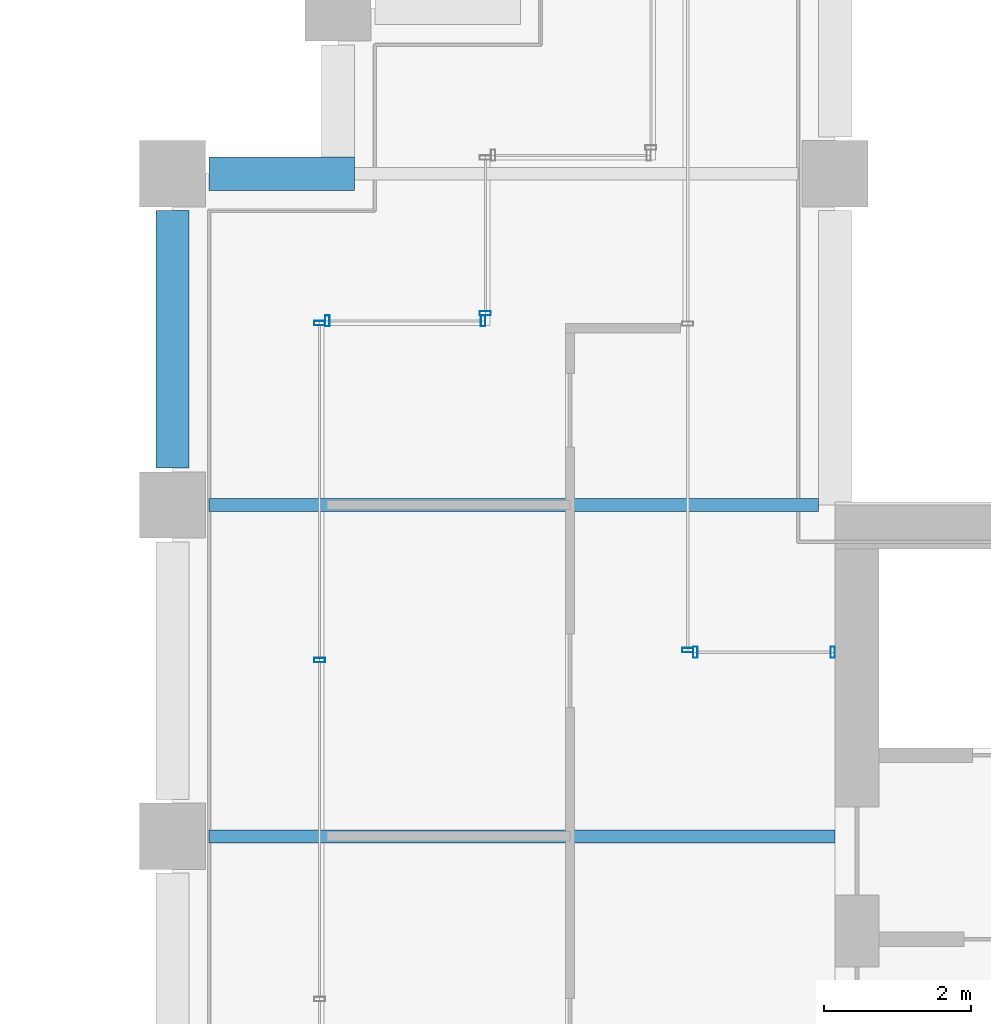
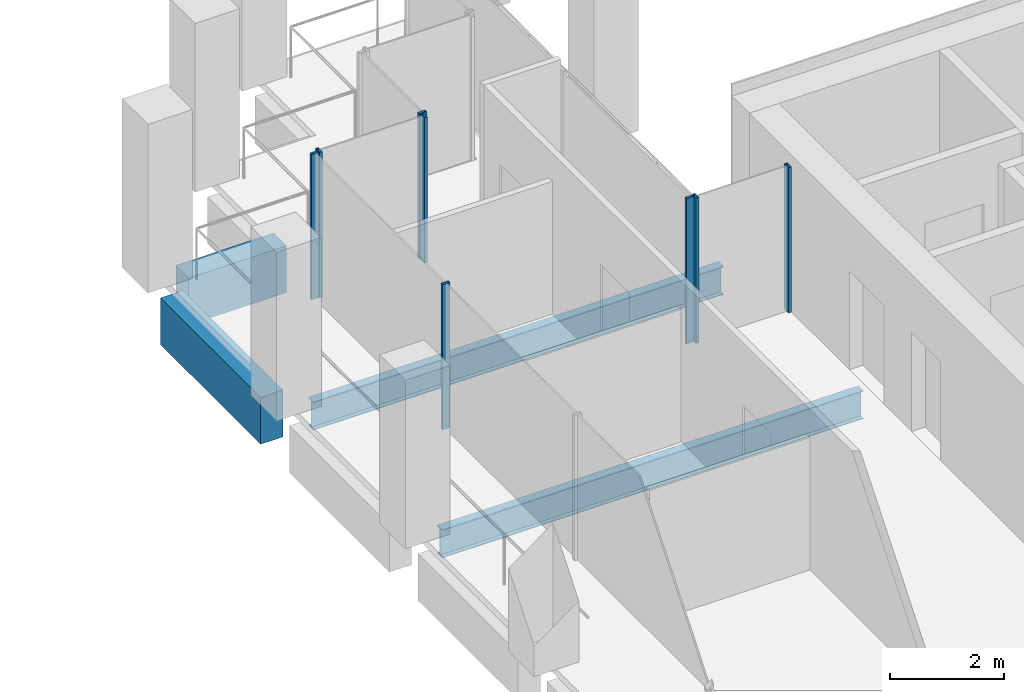
# One storey, part 34 of 44: 8 members, 4 beams, 5 elements without a shape of their own.
"""IFC4 building model written with IfcOpenShell, lengths in metres."""

from ifc_helpers import new_model, si_unit, direction, frame, origin, origin_2d, place, context, subcontext, project, spatial, rectangle, hollow_rectangle, i_section, extrude, material, material_profile, profile_set, type_object, element, aggregate, save


model = new_model("IFC4")

# Units and contexts
model_context = context("Model", 3, precision=1e-05, world=origin(), true_north=direction((0.0, 1.0)))
body_context = subcontext(model_context, "Body", "Model", "MODEL_VIEW")
ifc_project = project(units=[si_unit("LENGTHUNIT", "METRE"), si_unit("AREAUNIT", "SQUARE_METRE"), si_unit("VOLUMEUNIT", "CUBIC_METRE"), si_unit("PLANEANGLEUNIT", "RADIAN"), si_unit("MASSUNIT", "GRAM", prefix="KILO")], contexts=[model_context])

# Site, building, storey
site_placement = place(None, origin())
site = spatial("IfcSite", under=ifc_project, at=site_placement, CompositionType="ELEMENT")
building_placement = place(site_placement, origin())
building = spatial("IfcBuilding", under=site, at=building_placement, Name="Altepetl Exchange Towers", CompositionType="ELEMENT")
storey_placement = place(building_placement, frame((0.0, 0.0, 143.800048828125)))
storey = spatial("IfcBuildingStorey", under=building, at=storey_placement, Name="L35", CompositionType="ELEMENT", Elevation=143.800048828125)

# Beams
ifc_material_1 = material(Name="Steel S355", Category="steel")
ifc_material_profile_1 = material_profile(ifc_material_1, i_section(OverallWidth=0.177978515625, OverallDepth=0.59912109375, WebThickness=0.010009765625, FlangeThickness=0.0126953125, at=origin_2d()), Name="W24X55")
ifc_profile_set_1 = profile_set([ifc_material_profile_1], Name="Steel S355")
beam_type_1 = type_object("IfcBeamType", Name="Floor beam W24X55", PredefinedType="BEAM", material=ifc_profile_set_1)
beam_1_placement = place(storey_placement, frame((95.0, 45.0, -0.449462890625), z_axis=(1.0, 0.0, 0.0), x_axis=(0.0, 1.0, 0.0)))
element("IfcBeam", 1, at=beam_1_placement, inside=storey, type_object=beam_type_1, Name="bm:B:L35:005", PredefinedType="BEAM", context=body_context, shape_type="SweptSolid", body=[
    extrude(i_section(OverallWidth=0.177978515625, OverallDepth=0.59912109375, WebThickness=0.010009765625, FlangeThickness=0.0126953125, at=origin_2d()), origin(), (0.0, 0.0, 1.0), 8.5),
])
beam_2_placement = place(storey_placement, frame((95.0, 49.5, -0.449462890625), z_axis=(1.0, 0.0, 0.0), x_axis=(0.0, 1.0, 0.0)))
element("IfcBeam", 2, at=beam_2_placement, inside=storey, type_object=beam_type_1, Name="bm:B:L35:006", PredefinedType="BEAM", context=body_context, shape_type="SweptSolid", body=[
    extrude(i_section(OverallWidth=0.177978515625, OverallDepth=0.59912109375, WebThickness=0.010009765625, FlangeThickness=0.0126953125, at=origin_2d()), origin(), (0.0, 0.0, 1.0), 8.27490234375),
])

# Curtain wall, members
ifc_material_2 = material(Name="Aluminium 6063-T6 glazing", Category="aluminium")
curtain_wall_type = type_object("IfcCurtainWallType", Name="Loggia glazing system", PredefinedType="NOTDEFINED", material=ifc_material_2)
curtain_wall_1_placement = place(storey_placement, origin())
curtain_wall_1 = element("IfcCurtainWall", 3, at=curtain_wall_1_placement, inside=storey, type_object=curtain_wall_type, Name="CW1 run", PredefinedType="NOTDEFINED")
ifc_material_3 = material(Name="Aluminium 6063-T6", Category="aluminium")
ifc_material_profile_2 = material_profile(ifc_material_3, hollow_rectangle(XDim=0.06005859375, YDim=0.14990234375, WallThickness=0.0029296875, at=origin_2d()), Name="Mullion 60x150 aluminium")
ifc_profile_set_2 = profile_set([ifc_material_profile_2], Name="Aluminium 6063-T6")
member_type = type_object("IfcMemberType", Name="Mullion 60x150 aluminium", PredefinedType="MULLION", material=ifc_profile_set_2)
member_1_placement = place(storey_placement, frame((103.469970703125, 47.5, 0.0), z_axis=(0.0, 0.0, 1.0), x_axis=(-1.0, 0.0, 0.0)))
member_1 = element("IfcMember", 4, at=member_1_placement, type_object=member_type, Name="MU1 mullion", PredefinedType="MULLION", context=body_context, shape_type="SweptSolid", body=[
    extrude(hollow_rectangle(XDim=0.06005859375, YDim=0.14990234375, WallThickness=0.0029296875, at=origin_2d()), origin(), (0.0, 0.0, 1.0), 3.099853515625),
])
member_2_placement = place(storey_placement, frame((101.60498046875, 47.5, 0.0), z_axis=(0.0, 0.0, 1.0), x_axis=(-1.0, 0.0, 0.0)))
member_2 = element("IfcMember", 5, at=member_2_placement, type_object=member_type, Name="MU1 mullion", PredefinedType="MULLION", context=body_context, shape_type="SweptSolid", body=[
    extrude(hollow_rectangle(XDim=0.06005859375, YDim=0.14990234375, WallThickness=0.0029296875, at=origin_2d()), origin(), (0.0, 0.0, 1.0), 3.099853515625),
])
aggregate(curtain_wall_1, [member_1, member_2])

# Curtain wall, member
curtain_wall_2_placement = place(storey_placement, origin())
curtain_wall_2 = element("IfcCurtainWall", 6, at=curtain_wall_2_placement, inside=storey, type_object=curtain_wall_type, Name="CW1 run", PredefinedType="NOTDEFINED")
member_3_placement = place(storey_placement, frame((101.5, 47.530029296875, 0.0), z_axis=(0.0, 0.0, 1.0), x_axis=(0.0, 1.0, 0.0)))
member_3 = element("IfcMember", 7, at=member_3_placement, type_object=member_type, Name="MU1 mullion", PredefinedType="MULLION", context=body_context, shape_type="SweptSolid", body=[
    extrude(hollow_rectangle(XDim=0.06005859375, YDim=0.14990234375, WallThickness=0.0029296875, at=origin_2d()), origin(), (0.0, 0.0, 1.0), 3.099853515625),
])
aggregate(curtain_wall_2, [member_3])

curtain_wall_3_placement = place(storey_placement, origin())
curtain_wall_3 = element("IfcCurtainWall", 8, at=curtain_wall_3_placement, inside=storey, type_object=curtain_wall_type, Name="CW1 run", PredefinedType="NOTDEFINED")
member_4_placement = place(storey_placement, frame((98.75, 52.10498046875, 0.0), z_axis=(0.0, 0.0, 1.0), x_axis=(0.0, -1.0, 0.0)))
member_4 = element("IfcMember", 9, at=member_4_placement, type_object=member_type, Name="MU1 mullion", PredefinedType="MULLION", context=body_context, shape_type="SweptSolid", body=[
    extrude(hollow_rectangle(XDim=0.06005859375, YDim=0.14990234375, WallThickness=0.0029296875, at=origin_2d()), origin(), (0.0, 0.0, 1.0), 3.099853515625),
])
aggregate(curtain_wall_3, [member_4])

# Curtain wall, members
curtain_wall_4_placement = place(storey_placement, origin())
curtain_wall_4 = element("IfcCurtainWall", 10, at=curtain_wall_4_placement, inside=storey, type_object=curtain_wall_type, Name="CW1 run", PredefinedType="NOTDEFINED")
member_5_placement = place(storey_placement, frame((98.719970703125, 52.0, 0.0), z_axis=(0.0, 0.0, 1.0), x_axis=(-1.0, 0.0, 0.0)))
member_5 = element("IfcMember", 11, at=member_5_placement, type_object=member_type, Name="MU1 mullion", PredefinedType="MULLION", context=body_context, shape_type="SweptSolid", body=[
    extrude(hollow_rectangle(XDim=0.06005859375, YDim=0.14990234375, WallThickness=0.0029296875, at=origin_2d()), origin(), (0.0, 0.0, 1.0), 3.099853515625),
])
member_6_placement = place(storey_placement, frame((96.60498046875, 52.0, 0.0), z_axis=(0.0, 0.0, 1.0), x_axis=(-1.0, 0.0, 0.0)))
member_6 = element("IfcMember", 12, at=member_6_placement, type_object=member_type, Name="MU1 mullion", PredefinedType="MULLION", context=body_context, shape_type="SweptSolid", body=[
    extrude(hollow_rectangle(XDim=0.06005859375, YDim=0.14990234375, WallThickness=0.0029296875, at=origin_2d()), origin(), (0.0, 0.0, 1.0), 3.099853515625),
])
aggregate(curtain_wall_4, [member_5, member_6])

curtain_wall_5_placement = place(storey_placement, origin())
curtain_wall_5 = element("IfcCurtainWall", 13, at=curtain_wall_5_placement, inside=storey, type_object=curtain_wall_type, Name="CW1 run", PredefinedType="NOTDEFINED")
member_7_placement = place(storey_placement, frame((96.5, 51.969970703125, 0.0), z_axis=(0.0, 0.0, 1.0), x_axis=(0.0, -1.0, 0.0)))
member_7 = element("IfcMember", 14, at=member_7_placement, type_object=member_type, Name="MU1 mullion", PredefinedType="MULLION", context=body_context, shape_type="SweptSolid", body=[
    extrude(hollow_rectangle(XDim=0.06005859375, YDim=0.14990234375, WallThickness=0.0029296875, at=origin_2d()), origin(), (0.0, 0.0, 1.0), 3.099853515625),
])
member_8_placement = place(storey_placement, frame((96.5, 47.393798828125, 0.0), z_axis=(0.0, 0.0, 1.0), x_axis=(0.0, -1.0, 0.0)))
member_8 = element("IfcMember", 15, at=member_8_placement, type_object=member_type, Name="MU1 mullion", PredefinedType="MULLION", context=body_context, shape_type="SweptSolid", body=[
    extrude(hollow_rectangle(XDim=0.06005859375, YDim=0.14990234375, WallThickness=0.0029296875, at=origin_2d()), origin(), (0.0, 0.0, 1.0), 3.099853515625),
])
aggregate(curtain_wall_5, [member_7, member_8])

# Beams
ifc_material_4 = material(Name="Concrete C50/60 precast with cantera rosa facing", Category="concrete")
ifc_material_profile_3 = material_profile(ifc_material_4, rectangle(XDim=0.449951171875, YDim=1.0, at=origin_2d()), Name="450 x 1000")
ifc_profile_set_3 = profile_set([ifc_material_profile_3], Name="Concrete C50/60 precast with cantera rosa facing")
beam_type_2 = type_object("IfcBeamType", Name="Spandrel beam 450x1000 cantera rosa", PredefinedType="SPANDREL", material=ifc_profile_set_3)
beam_3_placement = place(storey_placement, frame((96.97509765625, 54.0, -0.650146484375), z_axis=(-1.0, 0.0, 0.0), x_axis=(0.0, -1.0, 0.0)))
element("IfcBeam", 16, at=beam_3_placement, inside=storey, type_object=beam_type_2, Name="sp:B:L35:014", PredefinedType="SPANDREL", context=body_context, shape_type="SweptSolid", body=[
    extrude(rectangle(XDim=0.449951171875, YDim=1.0, at=origin_2d()), origin(), (0.0, 0.0, 1.0), 1.97509765625),
])
beam_4_placement = place(storey_placement, frame((94.5, 53.5, -0.650146484375), z_axis=(0.0, -1.0, 0.0), x_axis=(1.0, 0.0, 0.0)))
element("IfcBeam", 17, at=beam_4_placement, inside=storey, type_object=beam_type_2, Name="sp:B:L35:015", PredefinedType="SPANDREL", context=body_context, shape_type="SweptSolid", body=[
    extrude(rectangle(XDim=0.449951171875, YDim=1.0, at=origin_2d()), origin(), (0.0, 0.0, 1.0), 3.5),
])

save(model, "model.ifc")
